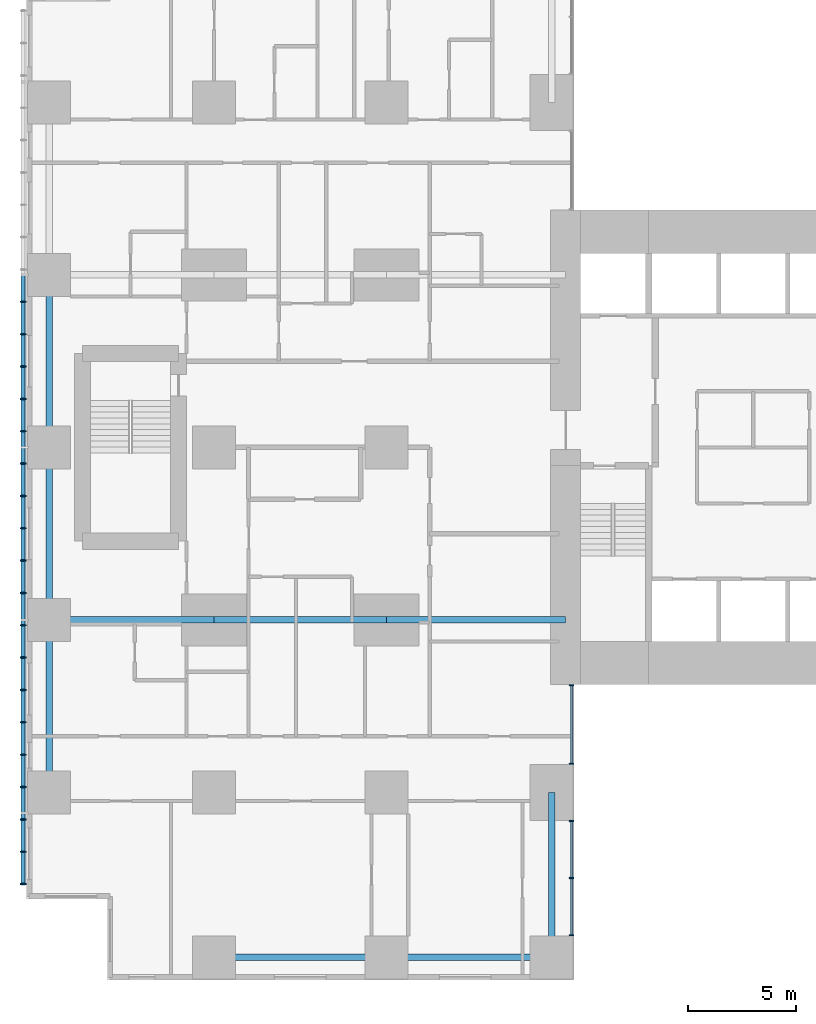
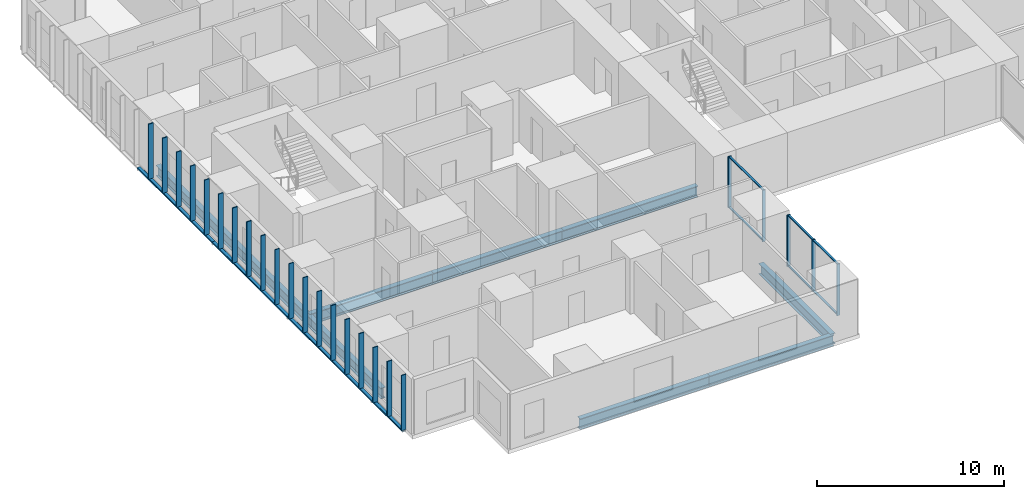
# One storey, part 2 of 20: 33 members, 9 beams, 2 elements without a shape of their own.
"""IFC4 building model written with IfcOpenShell, lengths in metres."""

from ifc_helpers import new_model, si_unit, direction, frame, origin, origin_2d, place, context, subcontext, project, spatial, rectangle, hollow_rectangle, i_section, extrude, material, layer, layer_set, material_profile, profile_set, type_object, element, aggregate, save


model = new_model("IFC4")

# Units and contexts
model_context = context("Model", 3, precision=1e-05, world=origin(), true_north=direction((0.0, 1.0)))
body_context = subcontext(model_context, "Body", "Model", "MODEL_VIEW")
ifc_project = project(units=[si_unit("LENGTHUNIT", "METRE"), si_unit("AREAUNIT", "SQUARE_METRE"), si_unit("VOLUMEUNIT", "CUBIC_METRE"), si_unit("PLANEANGLEUNIT", "RADIAN"), si_unit("MASSUNIT", "GRAM", prefix="KILO")], contexts=[model_context])

# Site, building, storey
site_placement = place(None, origin())
site = spatial("IfcSite", under=ifc_project, at=site_placement, CompositionType="ELEMENT")
building_placement = place(site_placement, origin())
building = spatial("IfcBuilding", under=site, at=building_placement, Name="Cleftline Residences", CompositionType="ELEMENT")
storey_placement = place(building_placement, frame((0.0, 0.0, 107.0)))
storey = spatial("IfcBuildingStorey", under=building, at=storey_placement, Name="L27", CompositionType="ELEMENT", Elevation=107.0)

# Members
ifc_material_1 = material(Name="Steel S355, hot-dip galvanised", Category="steel")
ifc_material_profile_1 = material_profile(ifc_material_1, hollow_rectangle(XDim=0.10009765625, YDim=0.199951171875, WallThickness=0.008056640625, InnerFilletRadius=0.008056640625, OuterFilletRadius=0.011962890625, at=origin_2d()))
ifc_profile_set_1 = profile_set([ifc_material_profile_1], Name="Steel S355, hot-dip galvanised")
member_type_1 = type_object("IfcMemberType", Name="BAGUETTE CARRIER RHS 200X100X8", PredefinedType="USERDEFINED", material=ifc_profile_set_1)
for number, where, z_axis, x_axis, name in (
    (1, (-0.85009765625, 32.0, -0.050048828125), (0.0, -1.0, 0.0), (0.0, 0.0, 1.0), "Baguette carrier"),
    (2, (-0.85009765625, 24.0, -0.050048828125), (0.0, -1.0, 0.0), (0.0, 0.0, 1.0), "Baguette carrier"),
):
    element("IfcMember", number, at=place(storey_placement, frame(where, z_axis=z_axis, x_axis=x_axis)), inside=storey, type_object=member_type_1, Name=name, ObjectType="BAGUETTE CARRIER", PredefinedType="USERDEFINED", context=body_context, shape_type="SweptSolid", body=[
        extrude(hollow_rectangle(XDim=0.10009765625, YDim=0.199951171875, WallThickness=0.008056640625, InnerFilletRadius=0.008056640625, OuterFilletRadius=0.011962890625, at=origin_2d()), origin(), (0.0, 0.0, 1.0), 8.0),
    ])
member_1_placement = place(storey_placement, frame((-0.85009765625, 16.0, -0.050048828125), z_axis=(0.0, -1.0, 0.0), x_axis=(0.0, 0.0, 1.0)))
element("IfcMember", 3, at=member_1_placement, inside=storey, type_object=member_type_1, Name="Baguette carrier", ObjectType="BAGUETTE CARRIER", PredefinedType="USERDEFINED", context=body_context, shape_type="SweptSolid", body=[
    extrude(hollow_rectangle(XDim=0.10009765625, YDim=0.199951171875, WallThickness=0.008056640625, InnerFilletRadius=0.008056640625, OuterFilletRadius=0.011962890625, at=origin_2d()), origin(), (0.0, 0.0, 1.0), 12.300048828125),
])

# Beams
ifc_material_2 = material(Name="Steel S355", Category="steel")
ifc_material_profile_2 = material_profile(ifc_material_2, i_section(OverallWidth=0.300048828125, OverallDepth=0.699951171875, WebThickness=0.01708984375, FlangeThickness=0.031982421875, FilletRadius=0.027099609375, at=origin_2d()))
ifc_profile_set_2 = profile_set([ifc_material_profile_2], Name="Steel S355")
beam_type_1 = type_object("IfcBeamType", Name="BEAM HEB 700", PredefinedType="BEAM", material=ifc_profile_set_2)
for number, where, z_axis, x_axis, name in (
    (4, (0.35009765625, 8.0, -0.60009765625), (0.0, 1.0, 0.0), (-1.0, 0.0, 0.0), "Edge beam"),
    (5, (0.35009765625, 16.0, -0.60009765625), (0.0, 1.0, 0.0), (-1.0, 0.0, 0.0), "Edge beam"),
    (6, (0.35009765625, 24.0, -0.60009765625), (0.0, 1.0, 0.0), (-1.0, 0.0, 0.0), "Edge beam"),
    (7, (8.0, 0.35009765625, -0.60009765625), (1.0, 0.0, 0.0), (0.0, 1.0, 0.0), "Edge beam"),
):
    element("IfcBeam", number, at=place(storey_placement, frame(where, z_axis=z_axis, x_axis=x_axis)), inside=storey, type_object=beam_type_1, Name=name, PredefinedType="BEAM", context=body_context, shape_type="SweptSolid", body=[
        extrude(i_section(OverallWidth=0.300048828125, OverallDepth=0.699951171875, WebThickness=0.01708984375, FlangeThickness=0.031982421875, FilletRadius=0.027099609375, at=origin_2d()), origin(), (0.0, 0.0, 1.0), 8.0),
    ])
for number, where, z_axis, x_axis, name in (
    (8, (16.0, 0.35009765625, -0.60009765625), (1.0, 0.0, 0.0), (0.0, 1.0, 0.0), "Edge beam"),
    (9, (23.64990234375, 0.35009765625, -0.60009765625), (0.0, 1.0, 0.0), (-1.0, 0.0, 0.0), "Edge beam"),
):
    element("IfcBeam", number, at=place(storey_placement, frame(where, z_axis=z_axis, x_axis=x_axis)), inside=storey, type_object=beam_type_1, Name=name, PredefinedType="BEAM", context=body_context, shape_type="SweptSolid", body=[
        extrude(i_section(OverallWidth=0.300048828125, OverallDepth=0.699951171875, WebThickness=0.01708984375, FlangeThickness=0.031982421875, FilletRadius=0.027099609375, at=origin_2d()), origin(), (0.0, 0.0, 1.0), 7.64990234375),
    ])
ifc_material_3 = material(Name="Steel S355", Category="steel")
ifc_material_profile_3 = material_profile(ifc_material_3, i_section(OverallWidth=0.303955078125, OverallDepth=0.716064453125, WebThickness=0.02099609375, FlangeThickness=0.0400390625, FilletRadius=0.027099609375, at=origin_2d()))
ifc_profile_set_3 = profile_set([ifc_material_profile_3], Name="Steel S355")
beam_type_2 = type_object("IfcBeamType", Name="BEAM HEM 700", PredefinedType="BEAM", material=ifc_profile_set_3)
beam_1_placement = place(storey_placement, frame((0.35009765625, 16.0, -0.60791015625), z_axis=(1.0, 0.0, 0.0), x_axis=(0.0, 1.0, 0.0)))
element("IfcBeam", 10, at=beam_1_placement, inside=storey, type_object=beam_type_2, Name="Band beam", PredefinedType="BEAM", context=body_context, shape_type="SweptSolid", body=[
    extrude(i_section(OverallWidth=0.303955078125, OverallDepth=0.716064453125, WebThickness=0.02099609375, FlangeThickness=0.0400390625, FilletRadius=0.027099609375, at=origin_2d()), origin(), (0.0, 0.0, 1.0), 7.64990234375),
])
beam_2_placement = place(storey_placement, frame((8.0, 16.0, -0.60791015625), z_axis=(1.0, 0.0, 0.0), x_axis=(0.0, 1.0, 0.0)))
element("IfcBeam", 11, at=beam_2_placement, inside=storey, type_object=beam_type_2, Name="Band beam", PredefinedType="BEAM", context=body_context, shape_type="SweptSolid", body=[
    extrude(i_section(OverallWidth=0.303955078125, OverallDepth=0.716064453125, WebThickness=0.02099609375, FlangeThickness=0.0400390625, FilletRadius=0.027099609375, at=origin_2d()), origin(), (0.0, 0.0, 1.0), 8.0),
])
beam_3_placement = place(storey_placement, frame((16.0, 16.0, -0.60791015625), z_axis=(1.0, 0.0, 0.0), x_axis=(0.0, 1.0, 0.0)))
element("IfcBeam", 12, at=beam_3_placement, inside=storey, type_object=beam_type_2, Name="Band beam", PredefinedType="BEAM", context=body_context, shape_type="SweptSolid", body=[
    extrude(i_section(OverallWidth=0.303955078125, OverallDepth=0.716064453125, WebThickness=0.02099609375, FlangeThickness=0.0400390625, FilletRadius=0.027099609375, at=origin_2d()), origin(), (0.0, 0.0, 1.0), 8.300048828125),
])

# Curtain wall, members
ifc_material_4 = material(Name="Aluminium framed curtain wall", Category="aluminium")
ifc_layer = layer(ifc_material_4, 0.199951171875)
ifc_layer_set = layer_set([ifc_layer], Name="CW1 CLEFT GLAZING")
curtain_wall_type = type_object("IfcCurtainWallType", Name="CW1 CLEFT GLAZING", PredefinedType="NOTDEFINED", material=ifc_layer_set)
curtain_wall_1_placement = place(storey_placement, origin())
curtain_wall_1 = element("IfcCurtainWall", 13, at=curtain_wall_1_placement, inside=storey, type_object=curtain_wall_type, Name="Curtain wall CW1", PredefinedType="NOTDEFINED")
ifc_material_5 = material(Name="Aluminium mullion", Category="aluminium")
ifc_material_profile_4 = material_profile(ifc_material_5, rectangle(XDim=0.199951171875, YDim=0.06005859375, at=origin_2d()))
ifc_profile_set_4 = profile_set([ifc_material_profile_4], Name="Aluminium mullion")
member_type_2 = type_object("IfcMemberType", Name="CW1 MULLION", PredefinedType="MULLION", material=ifc_profile_set_4)
member_2_placement = place(storey_placement, frame((24.574951171875, 1.3798828125, 0.0), z_axis=(0.0, 0.0, 1.0), x_axis=(-1.0, 0.0, 0.0)))
member_2 = element("IfcMember", 14, at=member_2_placement, type_object=member_type_2, Name="CW1 mullion 1", PredefinedType="MULLION", context=body_context, shape_type="SweptSolid", body=[
    extrude(rectangle(XDim=0.199951171875, YDim=0.06005859375, at=origin_2d()), origin(), (0.0, 0.0, 1.0), 3.35009765625),
])
member_3_placement = place(storey_placement, frame((24.574951171875, 4.02490234375, 0.0), z_axis=(0.0, 0.0, 1.0), x_axis=(-1.0, 0.0, 0.0)))
member_3 = element("IfcMember", 15, at=member_3_placement, type_object=member_type_2, Name="CW1 mullion 2", PredefinedType="MULLION", context=body_context, shape_type="SweptSolid", body=[
    extrude(rectangle(XDim=0.199951171875, YDim=0.06005859375, at=origin_2d()), origin(), (0.0, 0.0, 1.0), 3.35009765625),
])
member_4_placement = place(storey_placement, frame((24.574951171875, 6.669921875, 0.0), z_axis=(0.0, 0.0, 1.0), x_axis=(-1.0, 0.0, 0.0)))
member_4 = element("IfcMember", 16, at=member_4_placement, type_object=member_type_2, Name="CW1 mullion 3", PredefinedType="MULLION", context=body_context, shape_type="SweptSolid", body=[
    extrude(rectangle(XDim=0.199951171875, YDim=0.06005859375, at=origin_2d()), origin(), (0.0, 0.0, 1.0), 3.35009765625),
])

curtain_wall_2_placement = place(storey_placement, origin())
curtain_wall_2 = element("IfcCurtainWall", 17, at=curtain_wall_2_placement, inside=storey, type_object=curtain_wall_type, Name="Curtain wall CW1", PredefinedType="NOTDEFINED")
member_5_placement = place(storey_placement, frame((24.574951171875, 9.330078125, 0.0), z_axis=(0.0, 0.0, 1.0), x_axis=(-1.0, 0.0, 0.0)))
member_5 = element("IfcMember", 18, at=member_5_placement, type_object=member_type_2, Name="CW1 mullion 1", PredefinedType="MULLION", context=body_context, shape_type="SweptSolid", body=[
    extrude(rectangle(XDim=0.199951171875, YDim=0.06005859375, at=origin_2d()), origin(), (0.0, 0.0, 1.0), 3.35009765625),
])
member_6_placement = place(storey_placement, frame((24.574951171875, 12.969970703125, 0.0), z_axis=(0.0, 0.0, 1.0), x_axis=(-1.0, 0.0, 0.0)))
member_6 = element("IfcMember", 19, at=member_6_placement, type_object=member_type_2, Name="CW1 mullion 2", PredefinedType="MULLION", context=body_context, shape_type="SweptSolid", body=[
    extrude(rectangle(XDim=0.199951171875, YDim=0.06005859375, at=origin_2d()), origin(), (0.0, 0.0, 1.0), 3.35009765625),
])

# Member
ifc_material_6 = material(Name="Aluminium transom", Category="aluminium")
ifc_material_profile_5 = material_profile(ifc_material_6, rectangle(XDim=0.1201171875, YDim=0.06005859375, at=origin_2d()))
ifc_profile_set_5 = profile_set([ifc_material_profile_5], Name="Aluminium transom")
member_type_3 = type_object("IfcMemberType", Name="CW1 TRANSOM", PredefinedType="USERDEFINED", material=ifc_profile_set_5)
member_7_placement = place(storey_placement, frame((24.574951171875, 1.409912109375, 0.030029296875), z_axis=(0.0, 1.0, 0.0), x_axis=(-1.0, 0.0, 0.0)))
member_7 = element("IfcMember", 20, at=member_7_placement, type_object=member_type_3, Name="CW1 transom 1.1", ObjectType="TRANSOM", PredefinedType="USERDEFINED", context=body_context, shape_type="SweptSolid", body=[
    extrude(rectangle(XDim=0.1201171875, YDim=0.06005859375, at=origin_2d()), origin(), (0.0, 0.0, 1.0), 2.585205078125),
])

member_8_placement = place(storey_placement, frame((24.574951171875, 1.409912109375, 3.320068359375), z_axis=(0.0, 1.0, 0.0), x_axis=(-1.0, 0.0, 0.0)))
member_8 = element("IfcMember", 21, at=member_8_placement, type_object=member_type_3, Name="CW1 transom 1.2", ObjectType="TRANSOM", PredefinedType="USERDEFINED", context=body_context, shape_type="SweptSolid", body=[
    extrude(rectangle(XDim=0.1201171875, YDim=0.06005859375, at=origin_2d()), origin(), (0.0, 0.0, 1.0), 2.585205078125),
])

member_9_placement = place(storey_placement, frame((24.574951171875, 4.054931640625, 0.030029296875), z_axis=(0.0, 1.0, 0.0), x_axis=(-1.0, 0.0, 0.0)))
member_9 = element("IfcMember", 22, at=member_9_placement, type_object=member_type_3, Name="CW1 transom 2.1", ObjectType="TRANSOM", PredefinedType="USERDEFINED", context=body_context, shape_type="SweptSolid", body=[
    extrude(rectangle(XDim=0.1201171875, YDim=0.06005859375, at=origin_2d()), origin(), (0.0, 0.0, 1.0), 2.5849609375),
])

member_10_placement = place(storey_placement, frame((24.574951171875, 4.054931640625, 3.320068359375), z_axis=(0.0, 1.0, 0.0), x_axis=(-1.0, 0.0, 0.0)))
member_10 = element("IfcMember", 23, at=member_10_placement, type_object=member_type_3, Name="CW1 transom 2.2", ObjectType="TRANSOM", PredefinedType="USERDEFINED", context=body_context, shape_type="SweptSolid", body=[
    extrude(rectangle(XDim=0.1201171875, YDim=0.06005859375, at=origin_2d()), origin(), (0.0, 0.0, 1.0), 2.5849609375),
])

aggregate(curtain_wall_1, [member_2, member_3, member_4, member_7, member_8, member_9, member_10])

member_11_placement = place(storey_placement, frame((24.574951171875, 9.360107421875, 0.030029296875), z_axis=(0.0, 1.0, 0.0), x_axis=(-1.0, 0.0, 0.0)))
member_11 = element("IfcMember", 24, at=member_11_placement, type_object=member_type_3, Name="CW1 transom 1.1", ObjectType="TRANSOM", PredefinedType="USERDEFINED", context=body_context, shape_type="SweptSolid", body=[
    extrude(rectangle(XDim=0.1201171875, YDim=0.06005859375, at=origin_2d()), origin(), (0.0, 0.0, 1.0), 3.579833984375),
])

member_12_placement = place(storey_placement, frame((24.574951171875, 9.360107421875, 3.320068359375), z_axis=(0.0, 1.0, 0.0), x_axis=(-1.0, 0.0, 0.0)))
member_12 = element("IfcMember", 25, at=member_12_placement, type_object=member_type_3, Name="CW1 transom 1.2", ObjectType="TRANSOM", PredefinedType="USERDEFINED", context=body_context, shape_type="SweptSolid", body=[
    extrude(rectangle(XDim=0.1201171875, YDim=0.06005859375, at=origin_2d()), origin(), (0.0, 0.0, 1.0), 3.579833984375),
])

aggregate(curtain_wall_2, [member_5, member_6, member_11, member_12])

# Members
ifc_material_7 = material(Name="Extruded terracotta", Category="masonry")
ifc_material_profile_6 = material_profile(ifc_material_7, rectangle(XDim=0.06005859375, YDim=0.300048828125, at=origin_2d()))
ifc_profile_set_6 = profile_set([ifc_material_profile_6], Name="Extruded terracotta")
member_type_4 = type_object("IfcMemberType", Name="TERRACOTTA BAGUETTE 60X300", PredefinedType="USERDEFINED", material=ifc_profile_set_6)
for number, where, z_axis, x_axis, name in (
    (26, (-0.85009765625, 30.75, 0.0), (0.0, 0.0, 1.0), (0.0, 1.0, 0.0), "Terracotta baguette"),
    (27, (-0.85009765625, 29.25, 0.0), (0.0, 0.0, 1.0), (0.0, 1.0, 0.0), "Terracotta baguette"),
    (28, (-0.85009765625, 27.75, 0.0), (0.0, 0.0, 1.0), (0.0, 1.0, 0.0), "Terracotta baguette"),
    (29, (-0.85009765625, 26.25, 0.0), (0.0, 0.0, 1.0), (0.0, 1.0, 0.0), "Terracotta baguette"),
    (30, (-0.85009765625, 24.75, 0.0), (0.0, 0.0, 1.0), (0.0, 1.0, 0.0), "Terracotta baguette"),
    (31, (-0.85009765625, 23.25, 0.0), (0.0, 0.0, 1.0), (0.0, 1.0, 0.0), "Terracotta baguette"),
    (32, (-0.85009765625, 21.75, 0.0), (0.0, 0.0, 1.0), (0.0, 1.0, 0.0), "Terracotta baguette"),
    (33, (-0.85009765625, 20.25, 0.0), (0.0, 0.0, 1.0), (0.0, 1.0, 0.0), "Terracotta baguette"),
    (34, (-0.85009765625, 18.75, 0.0), (0.0, 0.0, 1.0), (0.0, 1.0, 0.0), "Terracotta baguette"),
    (35, (-0.85009765625, 17.25, 0.0), (0.0, 0.0, 1.0), (0.0, 1.0, 0.0), "Terracotta baguette"),
    (36, (-0.85009765625, 15.75, 0.0), (0.0, 0.0, 1.0), (0.0, 1.0, 0.0), "Terracotta baguette"),
    (37, (-0.85009765625, 14.25, 0.0), (0.0, 0.0, 1.0), (0.0, 1.0, 0.0), "Terracotta baguette"),
    (38, (-0.85009765625, 12.75, 0.0), (0.0, 0.0, 1.0), (0.0, 1.0, 0.0), "Terracotta baguette"),
    (39, (-0.85009765625, 11.25, 0.0), (0.0, 0.0, 1.0), (0.0, 1.0, 0.0), "Terracotta baguette"),
    (40, (-0.85009765625, 9.75, 0.0), (0.0, 0.0, 1.0), (0.0, 1.0, 0.0), "Terracotta baguette"),
    (41, (-0.85009765625, 8.25, 0.0), (0.0, 0.0, 1.0), (0.0, 1.0, 0.0), "Terracotta baguette"),
    (42, (-0.85009765625, 6.75, 0.0), (0.0, 0.0, 1.0), (0.0, 1.0, 0.0), "Terracotta baguette"),
    (43, (-0.85009765625, 5.25, 0.0), (0.0, 0.0, 1.0), (0.0, 1.0, 0.0), "Terracotta baguette"),
    (44, (-0.85009765625, 3.75, 0.0), (0.0, 0.0, 1.0), (0.0, 1.0, 0.0), "Terracotta baguette"),
):
    element("IfcMember", number, at=place(storey_placement, frame(where, z_axis=z_axis, x_axis=x_axis)), inside=storey, type_object=member_type_4, Name=name, ObjectType="BAGUETTE", PredefinedType="USERDEFINED", context=body_context, shape_type="SweptSolid", body=[
        extrude(rectangle(XDim=0.06005859375, YDim=0.300048828125, at=origin_2d()), origin(), (0.0, 0.0, 1.0), 3.60009765625),
    ])

save(model, "model.ifc")
